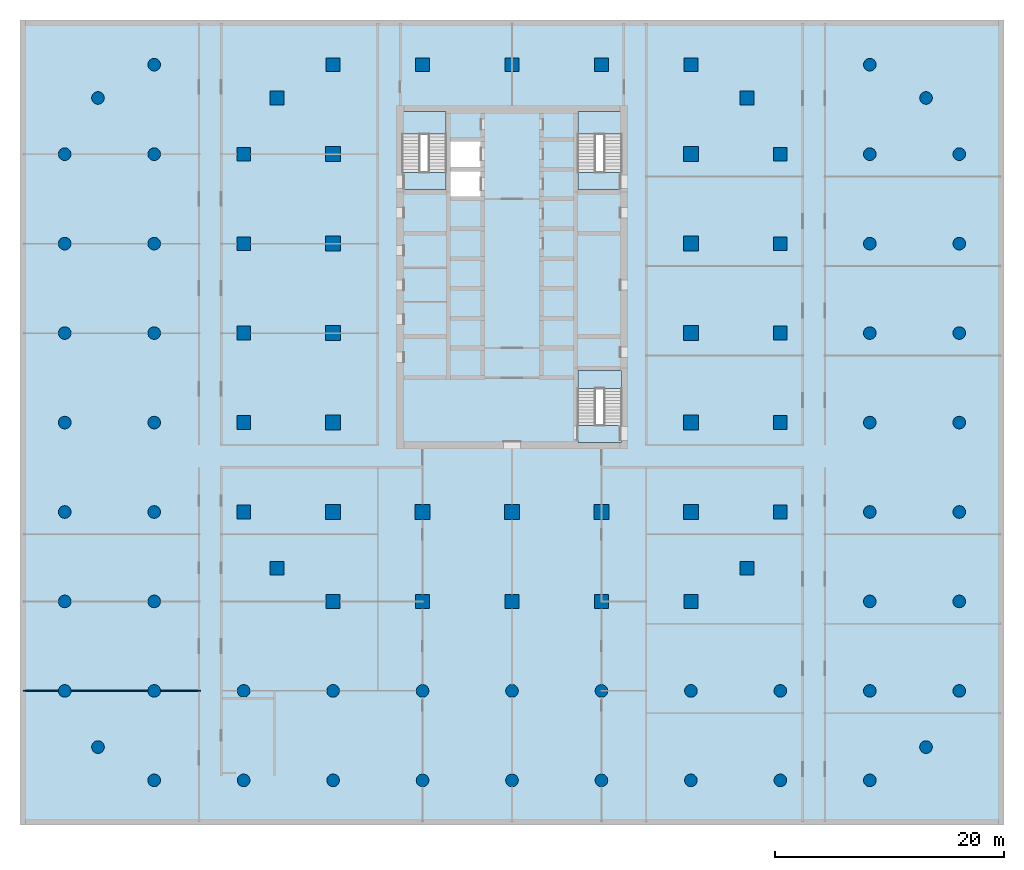
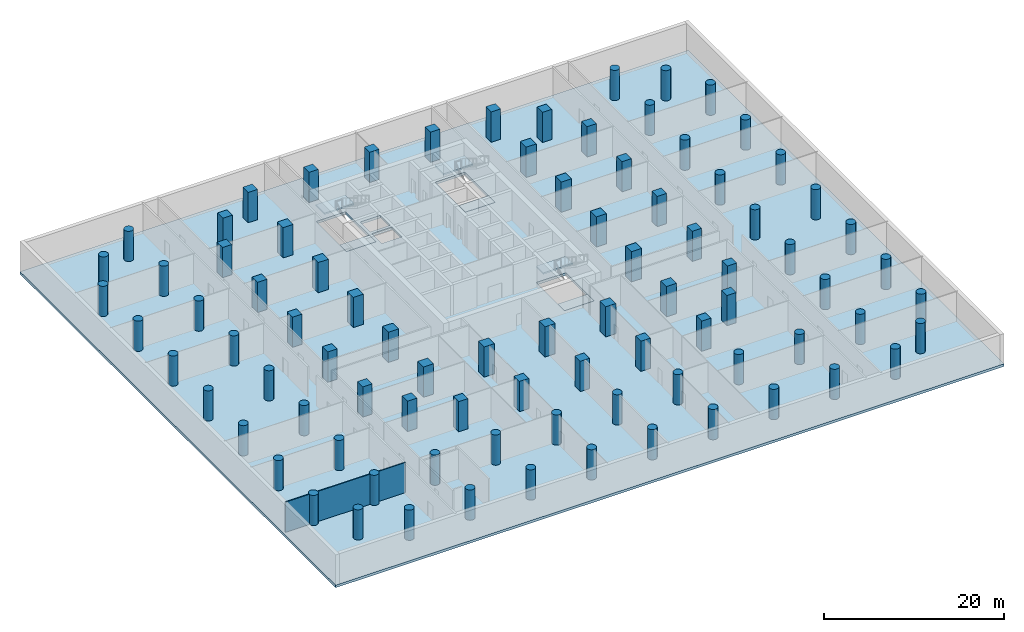
# One storey, part 1 of 14: 87 columns, 7 slabs, 1 wall, 3 elements without a shape of their own.
"""IFC4 building model written with IfcOpenShell, lengths in metres."""

from ifc_helpers import new_model, si_unit, direction, frame, frame_2d, origin, origin_2d, place, context, subcontext, project, spatial, polyline, rectangle, circle, outline, extrude, material, layer, layer_set, material_profile, profile_set, type_object, element, aggregate, save


model = new_model("IFC4")

# Units and contexts
model_context = context("Model", 3, precision=1e-05, world=origin(), true_north=direction((0.0, 1.0)))
body_context = subcontext(model_context, "Body", "Model", "MODEL_VIEW")
ifc_project = project(units=[si_unit("LENGTHUNIT", "METRE"), si_unit("AREAUNIT", "SQUARE_METRE"), si_unit("VOLUMEUNIT", "CUBIC_METRE"), si_unit("PLANEANGLEUNIT", "RADIAN"), si_unit("MASSUNIT", "GRAM", prefix="KILO")], contexts=[model_context])

# Site, building, storey
site_placement = place(None, origin())
site = spatial("IfcSite", under=ifc_project, at=site_placement, CompositionType="ELEMENT")
building_placement = place(site_placement, origin())
building = spatial("IfcBuilding", under=site, at=building_placement, Name="Ludao Terraces", CompositionType="ELEMENT")
storey_placement = place(building_placement, frame((0.0, 0.0, -4.5)))
storey = spatial("IfcBuildingStorey", under=building, at=storey_placement, Name="B1", CompositionType="ELEMENT", Elevation=-4.5)

# Columns
ifc_material_1 = material(Name="Concrete C60", Category="concrete")
ifc_material_profile_1 = material_profile(ifc_material_1, rectangle(XDim=1.199951171875, YDim=1.199951171875, at=origin_2d()), Name="1200 X 1200")
ifc_profile_set_1 = profile_set([ifc_material_profile_1], Name="Concrete C60")
column_type_1 = type_object("IfcColumnType", Name="RC column 1200x1200 C60", PredefinedType="COLUMN", material=ifc_profile_set_1)
for number, where, z_axis, x_axis, name in (
    (1, (64.5, 44.5, -0.35009765625), (0.0, 0.0, 1.0), (1.0, 0.0, 0.0), "Column B1 C0029x0029"),
    (2, (105.5, 44.5, -0.35009765625), (0.0, 0.0, 1.0), (1.0, 0.0, 0.0), "Column B1 C0439x0029"),
    (3, (64.5, 85.5, -0.35009765625), (0.0, 0.0, 1.0), (1.0, 0.0, 0.0), "Column B1 C0029x0439"),
    (4, (105.5, 85.5, -0.35009765625), (0.0, 0.0, 1.0), (1.0, 0.0, 0.0), "Column B1 C0439x0439"),
    (5, (61.60009765625, 49.39990234375, -0.35009765625), (0.0, 0.0, 1.0), (1.0, 0.0, 0.0), "Column B1 F0000x0078"),
    (6, (108.39990234375, 49.39990234375, -0.35009765625), (0.0, 0.0, 1.0), (1.0, 0.0, 0.0), "Column B1 F0468x0078"),
    (7, (69.39990234375, 41.60009765625, -0.35009765625), (0.0, 0.0, 1.0), (1.0, 0.0, 0.0), "Column B1 F0078x0000"),
    (8, (69.39990234375, 88.39990234375, -0.35009765625), (0.0, 0.0, 1.0), (1.0, 0.0, 0.0), "Column B1 F0078x0468"),
    (9, (61.60009765625, 57.199951171875, -0.35009765625), (0.0, 0.0, 1.0), (1.0, 0.0, 0.0), "Column B1 F0000x0156"),
    (10, (108.39990234375, 57.199951171875, -0.35009765625), (0.0, 0.0, 1.0), (1.0, 0.0, 0.0), "Column B1 F0468x0156"),
    (11, (77.199951171875, 41.60009765625, -0.35009765625), (0.0, 0.0, 1.0), (1.0, 0.0, 0.0), "Column B1 F0156x0000"),
    (12, (77.199951171875, 88.39990234375, -0.35009765625), (0.0, 0.0, 1.0), (1.0, 0.0, 0.0), "Column B1 F0156x0468"),
    (13, (61.60009765625, 65.0, -0.35009765625), (0.0, 0.0, 1.0), (1.0, 0.0, 0.0), "Column B1 F0000x0234"),
    (14, (108.39990234375, 65.0, -0.35009765625), (0.0, 0.0, 1.0), (1.0, 0.0, 0.0), "Column B1 F0468x0234"),
    (15, (85.0, 41.60009765625, -0.35009765625), (0.0, 0.0, 1.0), (1.0, 0.0, 0.0), "Column B1 F0234x0000"),
    (16, (85.0, 88.39990234375, -0.35009765625), (0.0, 0.0, 1.0), (1.0, 0.0, 0.0), "Column B1 F0234x0468"),
    (17, (61.60009765625, 72.800048828125, -0.35009765625), (0.0, 0.0, 1.0), (1.0, 0.0, 0.0), "Column B1 F0000x0312"),
    (18, (108.39990234375, 72.800048828125, -0.35009765625), (0.0, 0.0, 1.0), (1.0, 0.0, 0.0), "Column B1 F0468x0312"),
    (19, (92.800048828125, 41.60009765625, -0.35009765625), (0.0, 0.0, 1.0), (1.0, 0.0, 0.0), "Column B1 F0312x0000"),
    (20, (92.800048828125, 88.39990234375, -0.35009765625), (0.0, 0.0, 1.0), (1.0, 0.0, 0.0), "Column B1 F0312x0468"),
    (21, (61.60009765625, 80.60009765625, -0.35009765625), (0.0, 0.0, 1.0), (1.0, 0.0, 0.0), "Column B1 F0000x0390"),
    (22, (108.39990234375, 80.60009765625, -0.35009765625), (0.0, 0.0, 1.0), (1.0, 0.0, 0.0), "Column B1 F0468x0390"),
    (23, (100.60009765625, 41.60009765625, -0.35009765625), (0.0, 0.0, 1.0), (1.0, 0.0, 0.0), "Column B1 F0390x0000"),
    (24, (100.60009765625, 88.39990234375, -0.35009765625), (0.0, 0.0, 1.0), (1.0, 0.0, 0.0), "Column B1 F0390x0468"),
):
    element("IfcColumn", number, at=place(storey_placement, frame(where, z_axis=z_axis, x_axis=x_axis)), inside=storey, type_object=column_type_1, Name=name, PredefinedType="COLUMN", context=body_context, shape_type="SweptSolid", body=[
        extrude(rectangle(XDim=1.199951171875, YDim=1.199951171875, at=origin_2d()), origin(), (0.0, 0.0, 1.0), 4.4501953125),
    ])
ifc_material_profile_2 = material_profile(ifc_material_1, rectangle(XDim=1.300048828125, YDim=1.300048828125, at=origin_2d()), Name="1300 X 1300")
ifc_profile_set_2 = profile_set([ifc_material_profile_2], Name="Concrete C60")
column_type_2 = type_object("IfcColumnType", Name="RC column 1300x1300 C60", PredefinedType="COLUMN", material=ifc_profile_set_2)
for number, where, z_axis, x_axis, name in (
    (25, (69.39990234375, 49.39990234375, -0.35009765625), (0.0, 0.0, 1.0), (1.0, 0.0, 0.0), "Column B1 S0078x0078"),
    (26, (69.39990234375, 57.199951171875, -0.35009765625), (0.0, 0.0, 1.0), (1.0, 0.0, 0.0), "Column B1 S0078x0156"),
    (27, (69.39990234375, 65.0, -0.35009765625), (0.0, 0.0, 1.0), (1.0, 0.0, 0.0), "Column B1 S0078x0234"),
    (28, (69.39990234375, 72.800048828125, -0.35009765625), (0.0, 0.0, 1.0), (1.0, 0.0, 0.0), "Column B1 S0078x0312"),
    (29, (69.39990234375, 80.60009765625, -0.35009765625), (0.0, 0.0, 1.0), (1.0, 0.0, 0.0), "Column B1 S0078x0390"),
    (30, (77.199951171875, 49.39990234375, -0.35009765625), (0.0, 0.0, 1.0), (1.0, 0.0, 0.0), "Column B1 S0156x0078"),
    (31, (85.0, 49.39990234375, -0.35009765625), (0.0, 0.0, 1.0), (1.0, 0.0, 0.0), "Column B1 S0234x0078"),
    (32, (92.800048828125, 49.39990234375, -0.35009765625), (0.0, 0.0, 1.0), (1.0, 0.0, 0.0), "Column B1 S0312x0078"),
    (33, (100.60009765625, 49.39990234375, -0.35009765625), (0.0, 0.0, 1.0), (1.0, 0.0, 0.0), "Column B1 S0390x0078"),
    (34, (100.60009765625, 57.199951171875, -0.35009765625), (0.0, 0.0, 1.0), (1.0, 0.0, 0.0), "Column B1 S0390x0156"),
    (35, (100.60009765625, 65.0, -0.35009765625), (0.0, 0.0, 1.0), (1.0, 0.0, 0.0), "Column B1 S0390x0234"),
    (36, (100.60009765625, 72.800048828125, -0.35009765625), (0.0, 0.0, 1.0), (1.0, 0.0, 0.0), "Column B1 S0390x0312"),
    (37, (100.60009765625, 80.60009765625, -0.35009765625), (0.0, 0.0, 1.0), (1.0, 0.0, 0.0), "Column B1 S0390x0390"),
):
    element("IfcColumn", number, at=place(storey_placement, frame(where, z_axis=z_axis, x_axis=x_axis)), inside=storey, type_object=column_type_2, Name=name, PredefinedType="COLUMN", context=body_context, shape_type="SweptSolid", body=[
        extrude(rectangle(XDim=1.300048828125, YDim=1.300048828125, at=origin_2d()), origin(), (0.0, 0.0, 1.0), 4.4501953125),
    ])
ifc_material_profile_3 = material_profile(ifc_material_1, circle(Radius=0.550048828125, at=origin_2d()), Name="D1100")
ifc_profile_set_3 = profile_set([ifc_material_profile_3], Name="Concrete C60")
column_type_3 = type_object("IfcColumnType", Name="RC column D1100 C60", PredefinedType="COLUMN", material=ifc_profile_set_3)
for number, where, z_axis, x_axis, name in (
    (38, (48.89990234375, 28.89990234375, -0.35009765625), (0.0, 0.0, 1.0), (1.0, 0.0, 0.0), "Column B1 G-127x-127"),
    (39, (46.0, 33.800048828125, -0.35009765625), (0.0, 0.0, 1.0), (1.0, 0.0, 0.0), "Column B1 G-156x-078"),
    (40, (46.0, 41.60009765625, -0.35009765625), (0.0, 0.0, 1.0), (1.0, 0.0, 0.0), "Column B1 G-156x0000"),
    (41, (46.0, 49.39990234375, -0.35009765625), (0.0, 0.0, 1.0), (1.0, 0.0, 0.0), "Column B1 G-156x0078"),
    (42, (46.0, 57.199951171875, -0.35009765625), (0.0, 0.0, 1.0), (1.0, 0.0, 0.0), "Column B1 G-156x0156"),
    (43, (46.0, 65.0, -0.35009765625), (0.0, 0.0, 1.0), (1.0, 0.0, 0.0), "Column B1 G-156x0234"),
    (44, (46.0, 72.800048828125, -0.35009765625), (0.0, 0.0, 1.0), (1.0, 0.0, 0.0), "Column B1 G-156x0312"),
    (45, (46.0, 80.60009765625, -0.35009765625), (0.0, 0.0, 1.0), (1.0, 0.0, 0.0), "Column B1 G-156x0390"),
    (46, (48.89990234375, 85.5, -0.35009765625), (0.0, 0.0, 1.0), (1.0, 0.0, 0.0), "Column B1 G-127x0439"),
    (47, (53.800048828125, 26.0, -0.35009765625), (0.0, 0.0, 1.0), (1.0, 0.0, 0.0), "Column B1 G-078x-156"),
    (48, (53.800048828125, 33.800048828125, -0.35009765625), (0.0, 0.0, 1.0), (1.0, 0.0, 0.0), "Column B1 G-078x-078"),
    (49, (53.800048828125, 41.60009765625, -0.35009765625), (0.0, 0.0, 1.0), (1.0, 0.0, 0.0), "Column B1 G-078x0000"),
    (50, (53.800048828125, 49.39990234375, -0.35009765625), (0.0, 0.0, 1.0), (1.0, 0.0, 0.0), "Column B1 G-078x0078"),
    (51, (53.800048828125, 57.199951171875, -0.35009765625), (0.0, 0.0, 1.0), (1.0, 0.0, 0.0), "Column B1 G-078x0156"),
    (52, (53.800048828125, 65.0, -0.35009765625), (0.0, 0.0, 1.0), (1.0, 0.0, 0.0), "Column B1 G-078x0234"),
    (53, (53.800048828125, 72.800048828125, -0.35009765625), (0.0, 0.0, 1.0), (1.0, 0.0, 0.0), "Column B1 G-078x0312"),
    (54, (53.800048828125, 80.60009765625, -0.35009765625), (0.0, 0.0, 1.0), (1.0, 0.0, 0.0), "Column B1 G-078x0390"),
    (55, (53.800048828125, 88.39990234375, -0.35009765625), (0.0, 0.0, 1.0), (1.0, 0.0, 0.0), "Column B1 G-078x0468"),
    (56, (61.60009765625, 26.0, -0.35009765625), (0.0, 0.0, 1.0), (1.0, 0.0, 0.0), "Column B1 G0000x-156"),
    (57, (61.60009765625, 33.800048828125, -0.35009765625), (0.0, 0.0, 1.0), (1.0, 0.0, 0.0), "Column B1 G0000x-078"),
    (58, (69.39990234375, 26.0, -0.35009765625), (0.0, 0.0, 1.0), (1.0, 0.0, 0.0), "Column B1 G0078x-156"),
    (59, (69.39990234375, 33.800048828125, -0.35009765625), (0.0, 0.0, 1.0), (1.0, 0.0, 0.0), "Column B1 G0078x-078"),
    (60, (77.199951171875, 26.0, -0.35009765625), (0.0, 0.0, 1.0), (1.0, 0.0, 0.0), "Column B1 G0156x-156"),
    (61, (77.199951171875, 33.800048828125, -0.35009765625), (0.0, 0.0, 1.0), (1.0, 0.0, 0.0), "Column B1 G0156x-078"),
    (62, (85.0, 26.0, -0.35009765625), (0.0, 0.0, 1.0), (1.0, 0.0, 0.0), "Column B1 G0234x-156"),
    (63, (85.0, 33.800048828125, -0.35009765625), (0.0, 0.0, 1.0), (1.0, 0.0, 0.0), "Column B1 G0234x-078"),
    (64, (92.800048828125, 26.0, -0.35009765625), (0.0, 0.0, 1.0), (1.0, 0.0, 0.0), "Column B1 G0312x-156"),
    (65, (92.800048828125, 33.800048828125, -0.35009765625), (0.0, 0.0, 1.0), (1.0, 0.0, 0.0), "Column B1 G0312x-078"),
    (66, (100.60009765625, 26.0, -0.35009765625), (0.0, 0.0, 1.0), (1.0, 0.0, 0.0), "Column B1 G0390x-156"),
    (67, (100.60009765625, 33.800048828125, -0.35009765625), (0.0, 0.0, 1.0), (1.0, 0.0, 0.0), "Column B1 G0390x-078"),
    (68, (108.39990234375, 26.0, -0.35009765625), (0.0, 0.0, 1.0), (1.0, 0.0, 0.0), "Column B1 G0468x-156"),
    (69, (108.39990234375, 33.800048828125, -0.35009765625), (0.0, 0.0, 1.0), (1.0, 0.0, 0.0), "Column B1 G0468x-078"),
    (70, (116.199951171875, 26.0, -0.35009765625), (0.0, 0.0, 1.0), (1.0, 0.0, 0.0), "Column B1 G0546x-156"),
    (71, (116.199951171875, 33.800048828125, -0.35009765625), (0.0, 0.0, 1.0), (1.0, 0.0, 0.0), "Column B1 G0546x-078"),
    (72, (116.199951171875, 41.60009765625, -0.35009765625), (0.0, 0.0, 1.0), (1.0, 0.0, 0.0), "Column B1 G0546x0000"),
    (73, (116.199951171875, 49.39990234375, -0.35009765625), (0.0, 0.0, 1.0), (1.0, 0.0, 0.0), "Column B1 G0546x0078"),
    (74, (116.199951171875, 57.199951171875, -0.35009765625), (0.0, 0.0, 1.0), (1.0, 0.0, 0.0), "Column B1 G0546x0156"),
    (75, (116.199951171875, 65.0, -0.35009765625), (0.0, 0.0, 1.0), (1.0, 0.0, 0.0), "Column B1 G0546x0234"),
    (76, (116.199951171875, 72.800048828125, -0.35009765625), (0.0, 0.0, 1.0), (1.0, 0.0, 0.0), "Column B1 G0546x0312"),
    (77, (116.199951171875, 80.60009765625, -0.35009765625), (0.0, 0.0, 1.0), (1.0, 0.0, 0.0), "Column B1 G0546x0390"),
    (78, (116.199951171875, 88.39990234375, -0.35009765625), (0.0, 0.0, 1.0), (1.0, 0.0, 0.0), "Column B1 G0546x0468"),
    (79, (121.10009765625, 28.89990234375, -0.35009765625), (0.0, 0.0, 1.0), (1.0, 0.0, 0.0), "Column B1 G0595x-127"),
    (80, (124.0, 33.800048828125, -0.35009765625), (0.0, 0.0, 1.0), (1.0, 0.0, 0.0), "Column B1 G0624x-078"),
    (81, (124.0, 41.60009765625, -0.35009765625), (0.0, 0.0, 1.0), (1.0, 0.0, 0.0), "Column B1 G0624x0000"),
    (82, (124.0, 49.39990234375, -0.35009765625), (0.0, 0.0, 1.0), (1.0, 0.0, 0.0), "Column B1 G0624x0078"),
    (83, (124.0, 57.199951171875, -0.35009765625), (0.0, 0.0, 1.0), (1.0, 0.0, 0.0), "Column B1 G0624x0156"),
    (84, (124.0, 65.0, -0.35009765625), (0.0, 0.0, 1.0), (1.0, 0.0, 0.0), "Column B1 G0624x0234"),
    (85, (124.0, 72.800048828125, -0.35009765625), (0.0, 0.0, 1.0), (1.0, 0.0, 0.0), "Column B1 G0624x0312"),
    (86, (124.0, 80.60009765625, -0.35009765625), (0.0, 0.0, 1.0), (1.0, 0.0, 0.0), "Column B1 G0624x0390"),
    (87, (121.10009765625, 85.5, -0.35009765625), (0.0, 0.0, 1.0), (1.0, 0.0, 0.0), "Column B1 G0595x0439"),
):
    element("IfcColumn", number, at=place(storey_placement, frame(where, z_axis=z_axis, x_axis=x_axis)), inside=storey, type_object=column_type_3, Name=name, PredefinedType="COLUMN", context=body_context, shape_type="SweptSolid", body=[
        extrude(circle(Radius=0.550048828125, at=origin_2d()), origin(), (0.0, 0.0, 1.0), 4.4501953125),
    ])

# Slab
ifc_material_2 = material(Name="Concrete C40", Category="concrete")
ifc_layer_1 = layer(ifc_material_2, 0.35009765625)
ifc_layer_set_1 = layer_set([ifc_layer_1], Name="Floor slab 350 C40")
slab_type_1 = type_object("IfcSlabType", Name="Floor slab 350 C40", PredefinedType="FLOOR", material=ifc_layer_set_1)
slab_1_placement = place(storey_placement, frame((0.0, 0.0, -0.35009765625)))
element("IfcSlab", 88, at=slab_1_placement, inside=storey, type_object=slab_type_1, Name="Slab B1", PredefinedType="FLOOR", context=body_context, shape_type="SweptSolid", body=[
    extrude(outline(polyline([(42.10009765625, 22.10009765625), (127.89990234375, 22.10009765625), (127.89990234375, 92.300048828125), (42.10009765625, 92.300048828125), (42.10009765625, 22.10009765625)]), holes=[polyline([(79.64990234375, 76.89990234375), (82.25, 76.89990234375), (82.25, 79.10009765625), (79.64990234375, 79.10009765625), (79.64990234375, 76.89990234375)]), polyline([(79.64990234375, 79.5), (82.25, 79.5), (82.25, 81.699951171875), (79.64990234375, 81.699951171875), (79.64990234375, 79.5)]), polyline([(75.449951171875, 77.5), (79.25, 77.5), (79.25, 84.239990234375), (75.449951171875, 84.239990234375), (75.449951171875, 77.5)]), polyline([(90.75, 77.5), (94.550048828125, 77.5), (94.550048828125, 84.239990234375), (90.75, 84.239990234375), (90.75, 77.5)]), polyline([(90.75, 55.449951171875), (94.550048828125, 55.449951171875), (94.550048828125, 61.75), (90.75, 61.75), (90.75, 55.449951171875)])]), origin(), (0.0, 0.0, 1.0), 0.35009765625),
])

# Stair, slabs
stair_type = type_object("IfcStairType", Name="INT Stair", PredefinedType="HALF_TURN_STAIR", material=ifc_material_2)
stair_1_placement = place(storey_placement, origin())
stair_1 = element("IfcStair", 89, at=stair_1_placement, inside=storey, type_object=stair_type, Name="EXIT STAIR 1", PredefinedType="HALF_TURN_STAIR")
ifc_layer_2 = layer(ifc_material_2, 0.199951171875)
ifc_layer_set_2 = layer_set([ifc_layer_2], Name="INT Stair landing 200")
slab_type_2 = type_object("IfcSlabType", Name="INT Stair landing 200", PredefinedType="LANDING", material=ifc_layer_set_2)
slab_2_placement = place(storey_placement, frame((0.0, 0.0, 2.050048828125)))
slab_2 = element("IfcSlab", 90, at=slab_2_placement, type_object=slab_type_2, Name="ST1 landing 1", PredefinedType="LANDING", context=body_context, shape_type="SweptSolid", body=[
    extrude(outline(polyline([(75.449951171875, 82.360107421875), (79.25, 82.360107421875), (79.25, 84.300048828125), (75.449951171875, 84.300048828125), (75.449951171875, 82.360107421875)])), origin(), (0.0, 0.0, 1.0), 0.199951171875),
])
slab_3_placement = place(storey_placement, frame((0.0, 0.0, -0.199951171875)))
slab_3 = element("IfcSlab", 91, at=slab_3_placement, type_object=slab_type_2, Name="ST1 landing 2", PredefinedType="LANDING", context=body_context, shape_type="SweptSolid", body=[
    extrude(outline(polyline([(75.449951171875, 77.5), (79.25, 77.5), (79.25, 79.0), (75.449951171875, 79.0), (75.449951171875, 77.5)])), origin(), (0.0, 0.0, 1.0), 0.199951171875),
])
aggregate(stair_1, [slab_2, slab_3])

stair_2_placement = place(storey_placement, origin())
stair_2 = element("IfcStair", 92, at=stair_2_placement, inside=storey, type_object=stair_type, Name="EXIT STAIR 2", PredefinedType="HALF_TURN_STAIR")
slab_4_placement = place(storey_placement, frame((0.0, 0.0, 2.050048828125)))
slab_4 = element("IfcSlab", 93, at=slab_4_placement, type_object=slab_type_2, Name="ST2 landing 1", PredefinedType="LANDING", context=body_context, shape_type="SweptSolid", body=[
    extrude(outline(polyline([(90.75, 82.360107421875), (94.550048828125, 82.360107421875), (94.550048828125, 84.300048828125), (90.75, 84.300048828125), (90.75, 82.360107421875)])), origin(), (0.0, 0.0, 1.0), 0.199951171875),
])
slab_5_placement = place(storey_placement, frame((0.0, 0.0, -0.199951171875)))
slab_5 = element("IfcSlab", 94, at=slab_5_placement, type_object=slab_type_2, Name="ST2 landing 2", PredefinedType="LANDING", context=body_context, shape_type="SweptSolid", body=[
    extrude(outline(polyline([(90.75, 77.5), (94.550048828125, 77.5), (94.550048828125, 79.0), (90.75, 79.0), (90.75, 77.5)])), origin(), (0.0, 0.0, 1.0), 0.199951171875),
])
aggregate(stair_2, [slab_4, slab_5])

stair_3_placement = place(storey_placement, origin())
stair_3 = element("IfcStair", 95, at=stair_3_placement, inside=storey, type_object=stair_type, Name="EXIT STAIR 3", PredefinedType="HALF_TURN_STAIR")
slab_6_placement = place(storey_placement, frame((0.0, 0.0, 2.050048828125)))
slab_6 = element("IfcSlab", 96, at=slab_6_placement, type_object=slab_type_2, Name="ST3 landing 1", PredefinedType="LANDING", context=body_context, shape_type="SweptSolid", body=[
    extrude(outline(polyline([(90.75, 60.18994140625), (94.550048828125, 60.18994140625), (94.550048828125, 61.75), (90.75, 61.75), (90.75, 60.18994140625)])), origin(), (0.0, 0.0, 1.0), 0.199951171875),
])
slab_7_placement = place(storey_placement, frame((0.0, 0.0, -0.199951171875)))
slab_7 = element("IfcSlab", 97, at=slab_7_placement, type_object=slab_type_2, Name="ST3 landing 2", PredefinedType="LANDING", context=body_context, shape_type="SweptSolid", body=[
    extrude(outline(polyline([(90.75, 55.449951171875), (94.550048828125, 55.449951171875), (94.550048828125, 56.949951171875), (90.75, 56.949951171875), (90.75, 55.449951171875)])), origin(), (0.0, 0.0, 1.0), 0.199951171875),
])
aggregate(stair_3, [slab_6, slab_7])

# Wall
ifc_material_3 = material(Name="Gypsum plasterboard", Category="gypsum")
ifc_layer_3 = layer(ifc_material_3, 0.012451171875, Category="gypsum")
ifc_material_4 = material(Name="Mineral wool")
ifc_layer_4 = layer(ifc_material_4, 0.06005859375, Name="insulation")
ifc_material_5 = material(Name="Steel Q235", Category="steel")
ifc_layer_5 = layer(ifc_material_5, 0.014892578125, Name="stud")
ifc_layer_6 = layer(ifc_material_3, 0.012451171875, Category="gypsum")
ifc_layer_set_3 = layer_set([ifc_layer_3, ifc_layer_4, ifc_layer_5, ifc_layer_6], Name="INT Partition 100")
wall_type = type_object("IfcWallType", Name="INT Partition 100", PredefinedType="PARTITIONING", material=ifc_layer_set_3)
wall_placement = place(storey_placement, frame((42.400146484375, 33.800048828125, 0.0), z_axis=(0.0, 0.0, 1.0), x_axis=(1.0, 0.0, 0.0)))
element("IfcWall", 98, at=wall_placement, inside=storey, type_object=wall_type, Name="PW-B1-PW002", PredefinedType="PARTITIONING", context=body_context, shape_type="SweptSolid", body=[
    extrude(rectangle(XDim=15.39990234375, YDim=0.10009765625, at=frame_2d((7.699951171875, 0.0))), origin(), (0.0, 0.0, 1.0), 4.10009765625),
])

save(model, "model.ifc")
